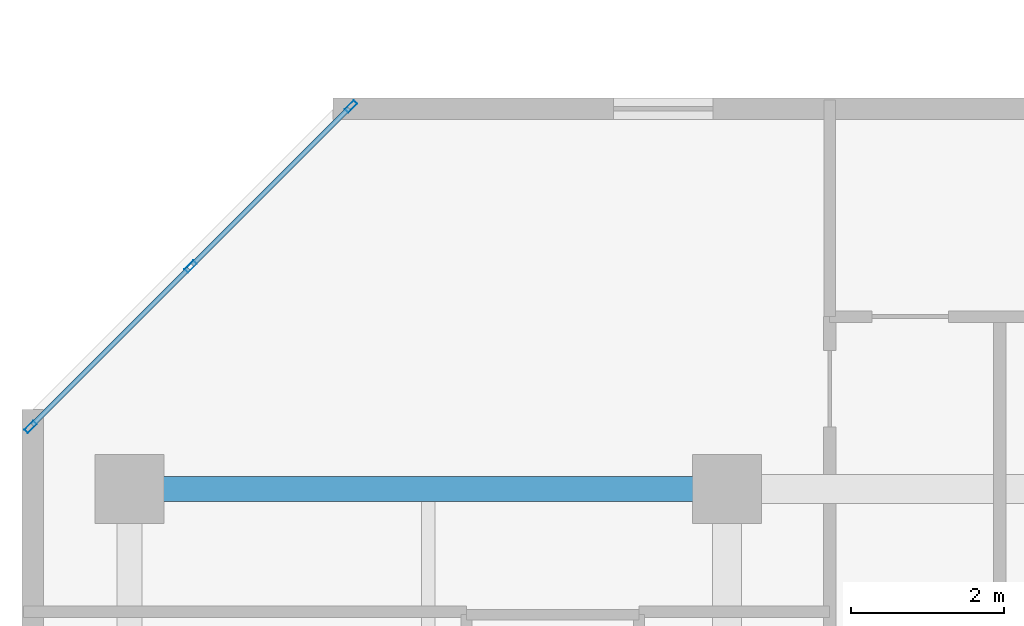
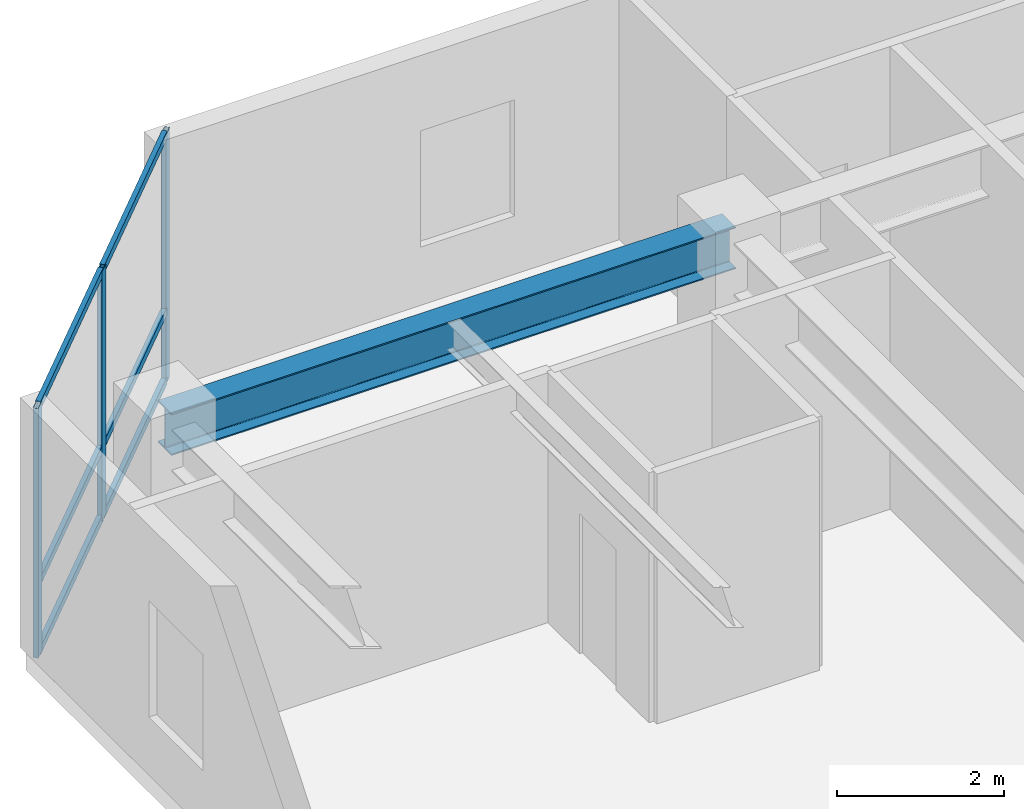
# One storey, part 2 of 11: 9 members, 1 beam, 1 element without a shape of its own.
"""IFC4 building model written with IfcOpenShell, lengths in metres."""

from ifc_helpers import new_model, si_unit, direction, frame, origin, origin_2d, place, context, subcontext, project, spatial, hollow_rectangle, i_section, extrude, material, layer, layer_set, material_profile, profile_set, type_object, element, aggregate, save


model = new_model("IFC4")

# Units and contexts
model_context = context("Model", 3, precision=1e-05, world=origin(), true_north=direction((0.0, 1.0)))
body_context = subcontext(model_context, "Body", "Model", "MODEL_VIEW")
ifc_project = project(units=[si_unit("LENGTHUNIT", "METRE"), si_unit("AREAUNIT", "SQUARE_METRE"), si_unit("VOLUMEUNIT", "CUBIC_METRE"), si_unit("PLANEANGLEUNIT", "RADIAN"), si_unit("MASSUNIT", "GRAM", prefix="KILO")], contexts=[model_context])

# Site, building, storey
site_placement = place(None, origin())
site = spatial("IfcSite", under=ifc_project, at=site_placement, CompositionType="ELEMENT")
building_placement = place(site_placement, origin())
building = spatial("IfcBuilding", under=site, at=building_placement, Name="Kestravale Grand Hotel", CompositionType="ELEMENT")
storey_placement = place(building_placement, frame((0.0, 0.0, 208.5)))
storey = spatial("IfcBuildingStorey", under=building, at=storey_placement, Name="L52", CompositionType="ELEMENT", Elevation=208.5)

# Beam
ifc_material_1 = material(Name="Steel ASTM A992 Grade 50", Category="steel")
ifc_material_profile_1 = material_profile(ifc_material_1, i_section(OverallWidth=0.324951171875, OverallDepth=0.612060546875, WebThickness=0.0126953125, FlangeThickness=0.01904296875, FilletRadius=0.018798828125, at=origin_2d()))
ifc_profile_set_1 = profile_set([ifc_material_profile_1], Name="Steel ASTM A992 Grade 50")
beam_type = type_object("IfcBeamType", Name="B-FLR-W24A", PredefinedType="SPANDREL", material=ifc_profile_set_1)
beam_placement = place(storey_placement, frame((7.800048828125, 38.39990234375, 3.343994140625), z_axis=(1.0, 0.0, 0.0), x_axis=(0.0, 1.0, 0.0)))
element("IfcBeam", 1, at=beam_placement, inside=storey, type_object=beam_type, Name="L52 spandrel F:2-3", PredefinedType="SPANDREL", context=body_context, shape_type="SweptSolid", body=[
    extrude(i_section(OverallWidth=0.324951171875, OverallDepth=0.612060546875, WebThickness=0.0126953125, FlangeThickness=0.01904296875, FilletRadius=0.018798828125, at=origin_2d()), origin(), (0.0, 0.0, 1.0), 7.800048828125),
])

# Curtain wall, members
ifc_material_2 = material(Name="Thermally broken champagne-bronze aluminium and low-E glazing", Category="aluminium")
ifc_layer = layer(ifc_material_2, 0.179931640625)
ifc_layer_set = layer_set([ifc_layer], Name="CW-Z3")
curtain_wall_type = type_object("IfcCurtainWallType", Name="CW-Z3", PredefinedType="NOTDEFINED", material=ifc_layer_set)
curtain_wall_placement = place(storey_placement, origin())
curtain_wall = element("IfcCurtainWall", 2, at=curtain_wall_placement, inside=storey, type_object=curtain_wall_type, Name="L52 unitised curtain wall 18", PredefinedType="NOTDEFINED")
ifc_material_3 = material(Name="Aluminium 6063-T6 anodised", Category="aluminium")
ifc_material_profile_2 = material_profile(ifc_material_3, hollow_rectangle(XDim=0.06494140625, YDim=0.1650390625, WallThickness=0.00341796875, at=origin_2d()))
ifc_profile_set_2 = profile_set([ifc_material_profile_2], Name="Aluminium 6063-T6 anodised")
member_type_1 = type_object("IfcMemberType", Name="CW-MUL-165", PredefinedType="MULLION", material=ifc_profile_set_2)
member_1_placement = place(storey_placement, frame((10.690185546875, 43.392333984375, 0.0), z_axis=(0.0, 0.0, 1.0), x_axis=(0.707106781187, -0.707106781187, 0.0)))
member_1 = element("IfcMember", 3, at=member_1_placement, type_object=member_type_1, Name="CW-Z3 mullion 1", PredefinedType="MULLION", context=body_context, shape_type="SweptSolid", body=[
    extrude(hollow_rectangle(XDim=0.06494140625, YDim=0.1650390625, WallThickness=0.00341796875, at=origin_2d()), origin(), (0.0, 0.0, 1.0), 3.64990234375),
])
member_2_placement = place(storey_placement, frame((8.59912109375, 41.301025390625, 0.0), z_axis=(0.0, 0.0, 1.0), x_axis=(0.707106781187, -0.707106781187, 0.0)))
member_2 = element("IfcMember", 4, at=member_2_placement, type_object=member_type_1, Name="CW-Z3 mullion 2", PredefinedType="MULLION", context=body_context, shape_type="SweptSolid", body=[
    extrude(hollow_rectangle(XDim=0.06494140625, YDim=0.1650390625, WallThickness=0.00341796875, at=origin_2d()), origin(), (0.0, 0.0, 1.0), 3.64990234375),
])
member_3_placement = place(storey_placement, frame((6.5078125, 39.209716796875, 0.0), z_axis=(0.0, 0.0, 1.0), x_axis=(0.707106781187, -0.707106781187, 0.0)))
member_3 = element("IfcMember", 5, at=member_3_placement, type_object=member_type_1, Name="CW-Z3 mullion 3", PredefinedType="MULLION", context=body_context, shape_type="SweptSolid", body=[
    extrude(hollow_rectangle(XDim=0.06494140625, YDim=0.1650390625, WallThickness=0.00341796875, at=origin_2d()), origin(), (0.0, 0.0, 1.0), 3.64990234375),
])
ifc_material_4 = material(Name="Aluminium 6063-T6 anodised", Category="aluminium")
ifc_material_profile_3 = material_profile(ifc_material_4, hollow_rectangle(XDim=0.06494140625, YDim=0.114990234375, WallThickness=0.003173828125, at=origin_2d()))
ifc_profile_set_3 = profile_set([ifc_material_profile_3], Name="Aluminium 6063-T6 anodised")
member_type_2 = type_object("IfcMemberType", Name="CW-TRN-115", PredefinedType="USERDEFINED", material=ifc_profile_set_3)
member_4_placement = place(storey_placement, frame((10.667236328125, 43.369140625, 0.032470703125), z_axis=(-0.707106781187, -0.707106781187, 0.0), x_axis=(0.707106781187, -0.707106781187, 0.0)))
member_4 = element("IfcMember", 6, at=member_4_placement, type_object=member_type_2, Name="CW-Z3 transom 1.1", ObjectType="TRANSOM", PredefinedType="USERDEFINED", context=body_context, shape_type="SweptSolid", body=[
    extrude(hollow_rectangle(XDim=0.06494140625, YDim=0.114990234375, WallThickness=0.003173828125, at=origin_2d()), origin(), (0.0, 0.0, 1.0), 2.892333984375),
])
member_5_placement = place(storey_placement, frame((10.667236328125, 43.369140625, 1.050048828125), z_axis=(-0.707106781187, -0.707106781187, 0.0), x_axis=(0.707106781187, -0.707106781187, 0.0)))
member_5 = element("IfcMember", 7, at=member_5_placement, type_object=member_type_2, Name="CW-Z3 transom 1.2", ObjectType="TRANSOM", PredefinedType="USERDEFINED", context=body_context, shape_type="SweptSolid", body=[
    extrude(hollow_rectangle(XDim=0.06494140625, YDim=0.114990234375, WallThickness=0.003173828125, at=origin_2d()), origin(), (0.0, 0.0, 1.0), 2.892333984375),
])
member_6_placement = place(storey_placement, frame((10.667236328125, 43.369140625, 3.617431640625), z_axis=(-0.707106781187, -0.707106781187, 0.0), x_axis=(0.707106781187, -0.707106781187, 0.0)))
member_6 = element("IfcMember", 8, at=member_6_placement, type_object=member_type_2, Name="CW-Z3 transom 1.3", ObjectType="TRANSOM", PredefinedType="USERDEFINED", context=body_context, shape_type="SweptSolid", body=[
    extrude(hollow_rectangle(XDim=0.06494140625, YDim=0.114990234375, WallThickness=0.003173828125, at=origin_2d()), origin(), (0.0, 0.0, 1.0), 2.892333984375),
])
member_7_placement = place(storey_placement, frame((8.575927734375, 41.278076171875, 0.032470703125), z_axis=(-0.707064577195, -0.707148982659, 0.0), x_axis=(0.707148982659, -0.707064577195, 0.0)))
member_7 = element("IfcMember", 9, at=member_7_placement, type_object=member_type_2, Name="CW-Z3 transom 2.1", ObjectType="TRANSOM", PredefinedType="USERDEFINED", context=body_context, shape_type="SweptSolid", body=[
    extrude(hollow_rectangle(XDim=0.06494140625, YDim=0.114990234375, WallThickness=0.003173828125, at=origin_2d()), origin(), (0.0, 0.0, 1.0), 2.892578125),
])
member_8_placement = place(storey_placement, frame((8.575927734375, 41.278076171875, 1.050048828125), z_axis=(-0.707064577195, -0.707148982659, 0.0), x_axis=(0.707148982659, -0.707064577195, 0.0)))
member_8 = element("IfcMember", 10, at=member_8_placement, type_object=member_type_2, Name="CW-Z3 transom 2.2", ObjectType="TRANSOM", PredefinedType="USERDEFINED", context=body_context, shape_type="SweptSolid", body=[
    extrude(hollow_rectangle(XDim=0.06494140625, YDim=0.114990234375, WallThickness=0.003173828125, at=origin_2d()), origin(), (0.0, 0.0, 1.0), 2.892578125),
])
member_9_placement = place(storey_placement, frame((8.575927734375, 41.278076171875, 3.617431640625), z_axis=(-0.707064577195, -0.707148982659, 0.0), x_axis=(0.707148982659, -0.707064577195, 0.0)))
member_9 = element("IfcMember", 11, at=member_9_placement, type_object=member_type_2, Name="CW-Z3 transom 2.3", ObjectType="TRANSOM", PredefinedType="USERDEFINED", context=body_context, shape_type="SweptSolid", body=[
    extrude(hollow_rectangle(XDim=0.06494140625, YDim=0.114990234375, WallThickness=0.003173828125, at=origin_2d()), origin(), (0.0, 0.0, 1.0), 2.892578125),
])
aggregate(curtain_wall, [member_1, member_2, member_3, member_4, member_5, member_6, member_7, member_8, member_9])

save(model, "model.ifc")
